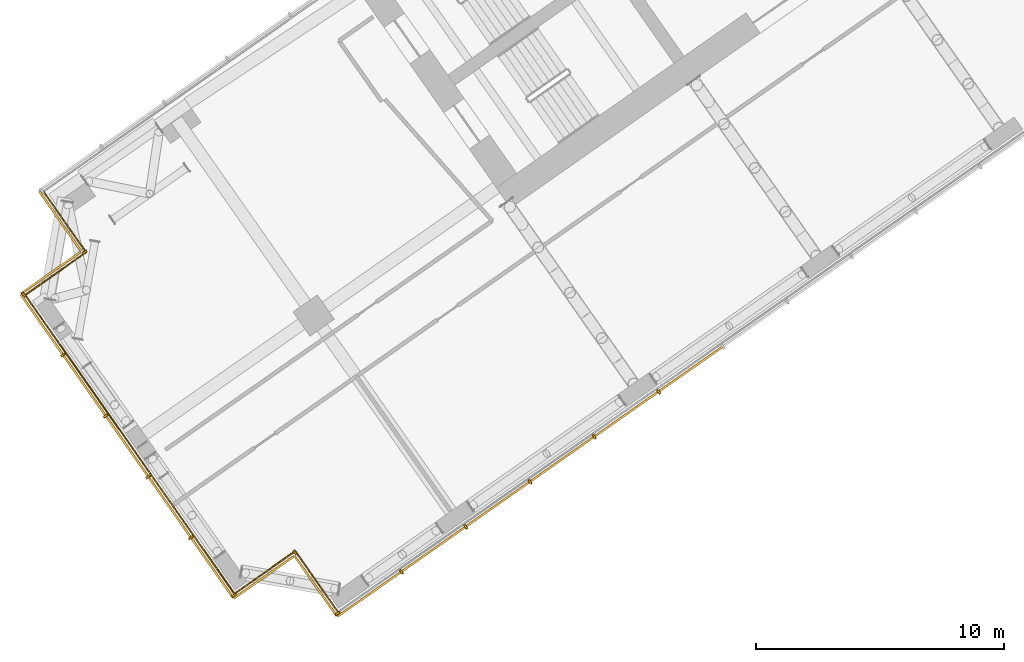
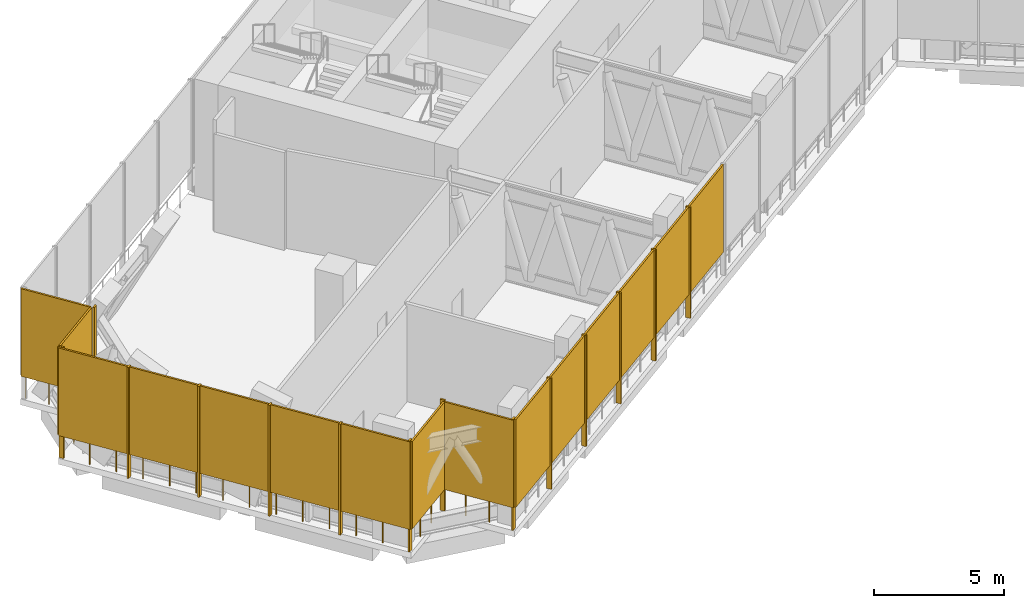
# One storey, part 16 of 24: 29 shading devices, 5 railings.
"""IFC4 building model written with IfcOpenShell, lengths in metres."""

from ifc_helpers import new_model, si_unit, direction, frame, origin, origin_2d, place, context, subcontext, project, spatial, rectangle, circle, extrude, material, layer, layer_set, type_object, element, save


model = new_model("IFC4")

# Units and contexts
model_context = context("Model", 3, precision=1e-05, world=origin(), true_north=direction((0.0, 1.0)))
body_context = subcontext(model_context, "Body", "Model", "MODEL_VIEW")
ifc_project = project(units=[si_unit("LENGTHUNIT", "METRE"), si_unit("AREAUNIT", "SQUARE_METRE"), si_unit("VOLUMEUNIT", "CUBIC_METRE"), si_unit("PLANEANGLEUNIT", "RADIAN"), si_unit("MASSUNIT", "GRAM", prefix="KILO")], contexts=[model_context])

# Site, building, storey
site_placement = place(None, origin())
site = spatial("IfcSite", under=ifc_project, at=site_placement, CompositionType="ELEMENT")
building_placement = place(site_placement, origin())
building = spatial("IfcBuilding", under=site, at=building_placement, Name="Tel Ilan Convention Tower", CompositionType="ELEMENT")
storey_placement = place(building_placement, frame((0.0, 0.0, 126.5)))
storey = spatial("IfcBuildingStorey", under=building, at=storey_placement, Name="L28", CompositionType="ELEMENT", Elevation=126.5)

# Shading devices
ifc_material_1 = material(Name="Perforated aluminium sheet, bronze anodised", Category="aluminium")
ifc_layer_1 = layer(ifc_material_1, 0.080078125)
ifc_layer_set_1 = layer_set([ifc_layer_1], Name="PERFORATED SCREEN 80")
shading_device_type_1 = type_object("IfcShadingDeviceType", Name="PERFORATED SCREEN 80", PredefinedType="USERDEFINED", material=ifc_layer_set_1)
for number, where, z_axis, x_axis, name in (
    (1, (-27.248046875, -31.8974609375, 1.099853515625), (0.0, 0.0, 1.0), (0.819152044289, 0.573576436351, 0.0), "SCREEN"),
    (2, (-24.653076171875, -30.080322265625, 1.099853515625), (0.0, 0.0, 1.0), (0.819152044289, 0.573576436351, 0.0), "SCREEN"),
    (3, (-22.05810546875, -28.263427734375, 1.099853515625), (0.0, 0.0, 1.0), (0.819152044289, 0.573576436351, 0.0), "SCREEN"),
    (4, (-19.462890625, -26.4462890625, 1.099853515625), (0.0, 0.0, 1.0), (0.819152044289, 0.573576436351, 0.0), "SCREEN"),
    (5, (-16.867919921875, -24.629150390625, 1.099853515625), (0.0, 0.0, 1.0), (0.819152044289, 0.573576436351, 0.0), "SCREEN"),
    (6, (-14.27294921875, -22.81201171875, 1.099853515625), (0.0, 0.0, 1.0), (0.819152044289, 0.573576436351, 0.0), "SCREEN"),
):
    element("IfcShadingDevice", number, at=place(storey_placement, frame(where, z_axis=z_axis, x_axis=x_axis)), inside=storey, type_object=shading_device_type_1, Name=name, ObjectType="SCREEN", PredefinedType="USERDEFINED", context=body_context, shape_type="SweptSolid", body=[
        extrude(rectangle(XDim=3.10791015625, YDim=0.080078125, at=origin_2d()), origin(), (0.0, 0.0, 1.0), 4.1201171875),
    ])
for number, where, z_axis, x_axis, name in (
    (7, (-39.73046875, -16.83251953125, 1.099853515625), (0.0, 0.0, 1.0), (0.573576436351, -0.819152044289, 0.0), "SCREEN"),
    (8, (-40.098876953125, -18.921630859375, 1.099853515625), (0.0, 0.0, 1.0), (-0.819152044289, -0.573576436351, 0.0), "SCREEN"),
    (9, (-40.467041015625, -21.0107421875, 1.099853515625), (0.0, 0.0, 1.0), (0.573576436351, -0.819152044289, 0.0), "SCREEN"),
    (10, (-38.746337890625, -23.46826171875, 1.099853515625), (0.0, 0.0, 1.0), (0.573576436351, -0.819152044289, 0.0), "SCREEN"),
    (11, (-37.025634765625, -25.925537109375, 1.099853515625), (0.0, 0.0, 1.0), (0.573576436351, -0.819152044289, 0.0), "SCREEN"),
    (12, (-35.304931640625, -28.383056640625, 1.099853515625), (0.0, 0.0, 1.0), (0.573576436351, -0.819152044289, 0.0), "SCREEN"),
    (13, (-33.584228515625, -30.840576171875, 1.099853515625), (0.0, 0.0, 1.0), (0.573576436351, -0.819152044289, 0.0), "SCREEN"),
    (14, (-31.4951171875, -31.208984375, 1.099853515625), (0.0, 0.0, 1.0), (0.819152044289, 0.573576436351, 0.0), "SCREEN"),
    (15, (-29.406005859375, -31.577392578125, 1.099853515625), (0.0, 0.0, 1.0), (0.573576436351, -0.819152044289, 0.0), "SCREEN"),
):
    element("IfcShadingDevice", number, at=place(storey_placement, frame(where, z_axis=z_axis, x_axis=x_axis)), inside=storey, type_object=shading_device_type_1, Name=name, ObjectType="SCREEN", PredefinedType="USERDEFINED", context=body_context, shape_type="SweptSolid", body=[
        extrude(rectangle(XDim=2.93994140625, YDim=0.080078125, at=origin_2d()), origin(), (0.0, 0.0, 1.0), 4.1201171875),
    ])

# Railings
ifc_material_2 = material(Name="Stainless steel S316", Category="steel")
railing_type = type_object("IfcRailingType", Name="REFUGE EDGE GUARD 1100", PredefinedType="GUARDRAIL", material=ifc_material_2)
railing_1_placement = place(storey_placement, frame((-28.51123046875, -32.611083984375, 0.0)))
element("IfcRailing", 16, at=railing_1_placement, inside=storey, type_object=railing_type, Name="Refuge edge guard 22.R01", PredefinedType="GUARDRAIL", context=body_context, shape_type="SweptSolid", body=[
    extrude(circle(Radius=0.02490234375, at=origin_2d()), frame((0.0, 0.0, 1.0751953125), z_axis=(-0.573560650686, 0.819163097304, 0.0), x_axis=(-0.819163097304, -0.573560650686, 0.0)), (0.0, 0.0, 1.0), 3.0),
    extrude(circle(Radius=0.02490234375, at=origin_2d()), origin(), (0.0, 0.0, 1.0), 1.050048828125),
    extrude(circle(Radius=0.02490234375, at=origin_2d()), frame((-0.573486328125, 0.819091796875, 0.0)), (0.0, 0.0, 1.0), 1.050048828125),
    extrude(circle(Radius=0.02490234375, at=origin_2d()), frame((-1.147216796875, 1.638427734375, 0.0)), (0.0, 0.0, 1.0), 1.050048828125),
    extrude(circle(Radius=0.02490234375, at=origin_2d()), frame((-1.720703125, 2.45751953125, 0.0)), (0.0, 0.0, 1.0), 1.050048828125),
])
railing_2_placement = place(storey_placement, frame((-30.23193359375, -30.153564453125, 0.0)))
element("IfcRailing", 17, at=railing_2_placement, inside=storey, type_object=railing_type, Name="Refuge edge guard 22.R02", PredefinedType="GUARDRAIL", context=body_context, shape_type="SweptSolid", body=[
    extrude(circle(Radius=0.02490234375, at=origin_2d()), frame((0.0, 0.0, 1.0751953125), z_axis=(-0.819163097304, -0.573560650686, 0.0), x_axis=(0.573560650686, -0.819163097304, 0.0)), (0.0, 0.0, 1.0), 3.0),
    extrude(circle(Radius=0.02490234375, at=origin_2d()), origin(), (0.0, 0.0, 1.0), 1.050048828125),
    extrude(circle(Radius=0.02490234375, at=origin_2d()), frame((-0.819091796875, -0.573486328125, 0.0)), (0.0, 0.0, 1.0), 1.050048828125),
    extrude(circle(Radius=0.02490234375, at=origin_2d()), frame((-1.638427734375, -1.147216796875, 0.0)), (0.0, 0.0, 1.0), 1.050048828125),
    extrude(circle(Radius=0.02490234375, at=origin_2d()), frame((-2.45751953125, -1.720703125, 0.0)), (0.0, 0.0, 1.0), 1.050048828125),
])
railing_3_placement = place(storey_placement, frame((-32.689453125, -31.874267578125, 0.0)))
element("IfcRailing", 18, at=railing_3_placement, inside=storey, type_object=railing_type, Name="Refuge edge guard 22.R03", PredefinedType="GUARDRAIL", context=body_context, shape_type="SweptSolid", body=[
    extrude(circle(Radius=0.02490234375, at=origin_2d()), frame((0.0, 0.0, 1.0751953125), z_axis=(-0.573581443287, 0.819148538372, 0.0), x_axis=(-0.819148538372, -0.573581443287, 0.0)), (0.0, 0.0, 1.0), 14.719970703125),
    extrude(circle(Radius=0.02490234375, at=origin_2d()), origin(), (0.0, 0.0, 1.0), 1.050048828125),
    extrude(circle(Radius=0.02490234375, at=origin_2d()), frame((-0.6494140625, 0.927490234375, 0.0)), (0.0, 0.0, 1.0), 1.050048828125),
    extrude(circle(Radius=0.02490234375, at=origin_2d()), frame((-1.298828125, 1.85498046875, 0.0)), (0.0, 0.0, 1.0), 1.050048828125),
    extrude(circle(Radius=0.02490234375, at=origin_2d()), frame((-1.948486328125, 2.782470703125, 0.0)), (0.0, 0.0, 1.0), 1.050048828125),
    extrude(circle(Radius=0.02490234375, at=origin_2d()), frame((-2.597900390625, 3.710205078125, 0.0)), (0.0, 0.0, 1.0), 1.050048828125),
    extrude(circle(Radius=0.02490234375, at=origin_2d()), frame((-3.247314453125, 4.6376953125, 0.0)), (0.0, 0.0, 1.0), 1.050048828125),
    extrude(circle(Radius=0.02490234375, at=origin_2d()), frame((-3.896728515625, 5.565185546875, 0.0)), (0.0, 0.0, 1.0), 1.050048828125),
    extrude(circle(Radius=0.02490234375, at=origin_2d()), frame((-4.54638671875, 6.49267578125, 0.0)), (0.0, 0.0, 1.0), 1.050048828125),
    extrude(circle(Radius=0.02490234375, at=origin_2d()), frame((-5.19580078125, 7.420166015625, 0.0)), (0.0, 0.0, 1.0), 1.050048828125),
    extrude(circle(Radius=0.02490234375, at=origin_2d()), frame((-5.84521484375, 8.34765625, 0.0)), (0.0, 0.0, 1.0), 1.050048828125),
    extrude(circle(Radius=0.02490234375, at=origin_2d()), frame((-6.49462890625, 9.275390625, 0.0)), (0.0, 0.0, 1.0), 1.050048828125),
    extrude(circle(Radius=0.02490234375, at=origin_2d()), frame((-7.144287109375, 10.202880859375, 0.0)), (0.0, 0.0, 1.0), 1.050048828125),
    extrude(circle(Radius=0.02490234375, at=origin_2d()), frame((-7.793701171875, 11.13037109375, 0.0)), (0.0, 0.0, 1.0), 1.050048828125),
    extrude(circle(Radius=0.02490234375, at=origin_2d()), frame((-8.443115234375, 12.057861328125, 0.0)), (0.0, 0.0, 1.0), 1.050048828125),
])
railing_4_placement = place(storey_placement, frame((-41.132568359375, -19.81640625, 0.0)))
element("IfcRailing", 19, at=railing_4_placement, inside=storey, type_object=railing_type, Name="Refuge edge guard 22.R04", PredefinedType="GUARDRAIL", context=body_context, shape_type="SweptSolid", body=[
    extrude(circle(Radius=0.02490234375, at=origin_2d()), frame((0.0, 0.0, 1.0751953125), z_axis=(0.819163097304, 0.573560650686, 0.0), x_axis=(-0.573560650686, 0.819163097304, 0.0)), (0.0, 0.0, 1.0), 3.0),
    extrude(circle(Radius=0.02490234375, at=origin_2d()), origin(), (0.0, 0.0, 1.0), 1.050048828125),
    extrude(circle(Radius=0.02490234375, at=origin_2d()), frame((0.819091796875, 0.573486328125, 0.0)), (0.0, 0.0, 1.0), 1.050048828125),
    extrude(circle(Radius=0.02490234375, at=origin_2d()), frame((1.638427734375, 1.147216796875, 0.0)), (0.0, 0.0, 1.0), 1.050048828125),
    extrude(circle(Radius=0.02490234375, at=origin_2d()), frame((2.45751953125, 1.720703125, 0.0)), (0.0, 0.0, 1.0), 1.050048828125),
])
railing_5_placement = place(storey_placement, frame((-38.675048828125, -18.095703125, 0.0)))
element("IfcRailing", 20, at=railing_5_placement, inside=storey, type_object=railing_type, Name="Refuge edge guard 22.R05", PredefinedType="GUARDRAIL", context=body_context, shape_type="SweptSolid", body=[
    extrude(circle(Radius=0.02490234375, at=origin_2d()), frame((0.0, 0.0, 1.0751953125), z_axis=(-0.573560650686, 0.819163097304, 0.0), x_axis=(-0.819163097304, -0.573560650686, 0.0)), (0.0, 0.0, 1.0), 3.0),
    extrude(circle(Radius=0.02490234375, at=origin_2d()), origin(), (0.0, 0.0, 1.0), 1.050048828125),
    extrude(circle(Radius=0.02490234375, at=origin_2d()), frame((-0.573486328125, 0.819091796875, 0.0)), (0.0, 0.0, 1.0), 1.050048828125),
    extrude(circle(Radius=0.02490234375, at=origin_2d()), frame((-1.147216796875, 1.638427734375, 0.0)), (0.0, 0.0, 1.0), 1.050048828125),
    extrude(circle(Radius=0.02490234375, at=origin_2d()), frame((-1.720703125, 2.45751953125, 0.0)), (0.0, 0.0, 1.0), 1.050048828125),
])

# Shading devices
ifc_material_3 = material(Name="Perforated aluminium sheet, bronze anodised", Category="aluminium")
ifc_layer_2 = layer(ifc_material_3, 0.080078125)
ifc_layer_set_2 = layer_set([ifc_layer_2], Name="SCREEN CORNER CLOSURE 80x200")
shading_device_type_2 = type_object("IfcShadingDeviceType", Name="SCREEN CORNER CLOSURE 80x200", PredefinedType="USERDEFINED", material=ifc_layer_set_2)
for number, where, z_axis, x_axis, name in (
    (21, (-28.52099609375, -32.666748046875, 0.0), (0.0, 0.0, 1.0), (0.573576436351, -0.819152044289, 0.0), "SCREEN"),
    (22, (-38.730712890625, -18.0859375, 0.0), (0.0, 0.0, 1.0), (0.573576436351, -0.819152044289, 0.0), "SCREEN"),
    (23, (-41.188232421875, -19.806640625, 0.0), (0.0, 0.0, 1.0), (-0.819152044289, -0.573576436351, 0.0), "SCREEN"),
    (24, (-32.69921875, -31.929931640625, 0.0), (0.0, 0.0, 1.0), (0.573576436351, -0.819152044289, 0.0), "SCREEN"),
    (25, (-30.241943359375, -30.209228515625, 0.0), (0.0, 0.0, 1.0), (0.819152044289, 0.573576436351, 0.0), "SCREEN"),
):
    element("IfcShadingDevice", number, at=place(storey_placement, frame(where, z_axis=z_axis, x_axis=x_axis)), inside=storey, type_object=shading_device_type_2, Name=name, ObjectType="SCREEN", PredefinedType="USERDEFINED", context=body_context, shape_type="SweptSolid", body=[
        extrude(rectangle(XDim=0.080078125, YDim=0.199951171875, at=origin_2d()), origin(), (0.0, 0.0, 1.0), 5.219970703125),
    ])
ifc_material_4 = material(Name="Aluminium, bronze anodised", Category="aluminium")
ifc_layer_3 = layer(ifc_material_4, 0.080078125)
ifc_layer_set_3 = layer_set([ifc_layer_3], Name="SCREEN POST 80x200")
shading_device_type_3 = type_object("IfcShadingDeviceType", Name="SCREEN POST 80x200", PredefinedType="USERDEFINED", material=ifc_layer_set_3)
for number, where, z_axis, x_axis, name in (
    (26, (-25.95068359375, -30.989013671875, 0.0), (0.0, 0.0, 1.0), (0.819152044289, 0.573576436351, 0.0), "Screen post"),
    (27, (-23.35546875, -29.171875, 0.0), (0.0, 0.0, 1.0), (0.819152044289, 0.573576436351, 0.0), "Screen post"),
    (28, (-20.760498046875, -27.354736328125, 0.0), (0.0, 0.0, 1.0), (0.819152044289, 0.573576436351, 0.0), "Screen post"),
    (29, (-18.16552734375, -25.53759765625, 0.0), (0.0, 0.0, 1.0), (0.819152044289, 0.573576436351, 0.0), "Screen post"),
    (30, (-15.5703125, -23.720703125, 0.0), (0.0, 0.0, 1.0), (0.819152044289, 0.573576436351, 0.0), "Screen post"),
    (31, (-39.606689453125, -22.239501953125, 0.0), (0.0, 0.0, 1.0), (0.573576436351, -0.819152044289, 0.0), "Screen post"),
    (32, (-37.885986328125, -24.697021484375, 0.0), (0.0, 0.0, 1.0), (0.573576436351, -0.819152044289, 0.0), "Screen post"),
    (33, (-36.165283203125, -27.154296875, 0.0), (0.0, 0.0, 1.0), (0.573576436351, -0.819152044289, 0.0), "Screen post"),
    (34, (-34.444580078125, -29.61181640625, 0.0), (0.0, 0.0, 1.0), (0.573576436351, -0.819152044289, 0.0), "Screen post"),
):
    element("IfcShadingDevice", number, at=place(storey_placement, frame(where, z_axis=z_axis, x_axis=x_axis)), inside=storey, type_object=shading_device_type_3, Name=name, ObjectType="SCREEN POST", PredefinedType="USERDEFINED", context=body_context, shape_type="SweptSolid", body=[
        extrude(rectangle(XDim=0.080078125, YDim=0.199951171875, at=origin_2d()), origin(), (0.0, 0.0, 1.0), 5.219970703125),
    ])

save(model, "model.ifc")
